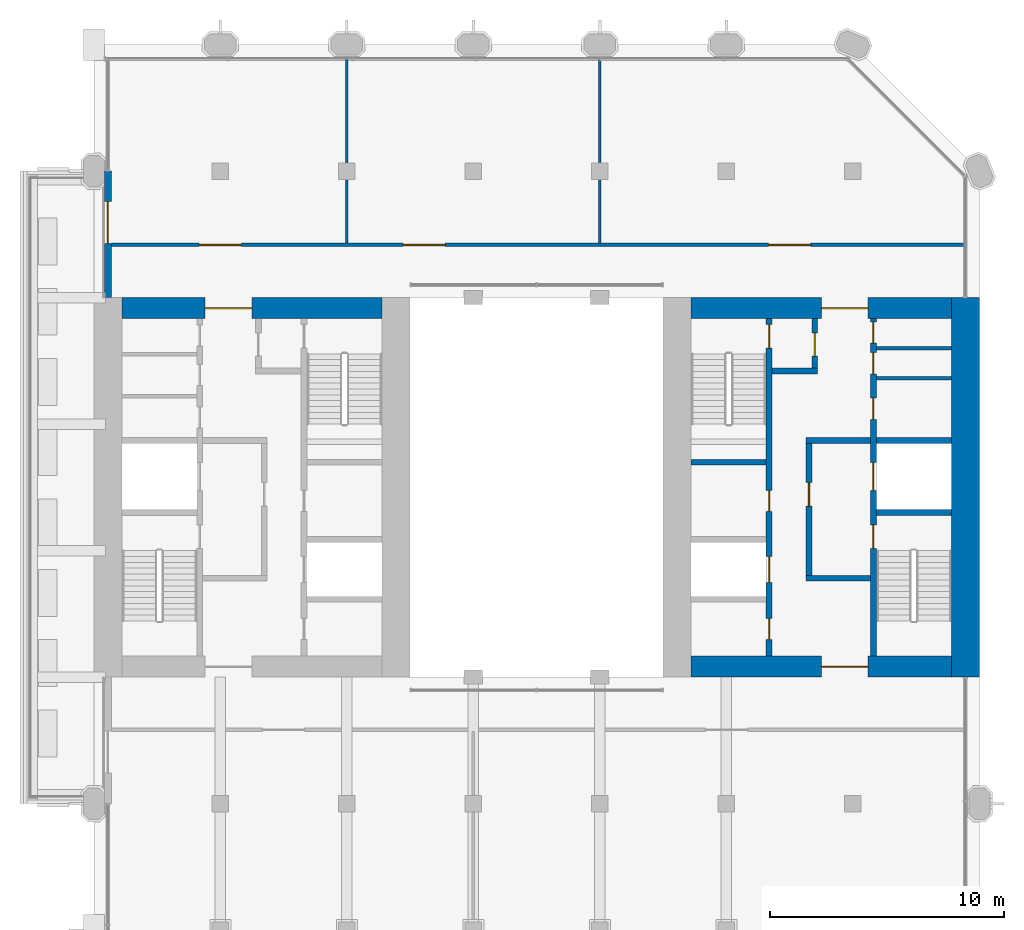
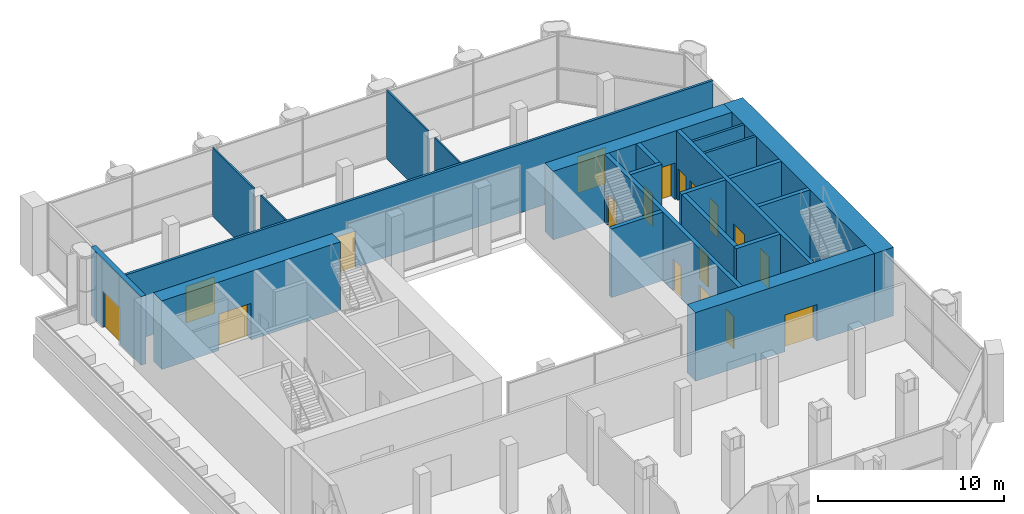
# One storey, part 10 of 14: 22 walls, 18 doors, 18 openings.
"""IFC4 building model written with IfcOpenShell, lengths in metres."""

from ifc_helpers import new_model, si_unit, direction, frame, frame_2d, origin, place, context, subcontext, project, spatial, rectangle, extrude, material, layer, layer_set, type_object, element, fill, save


model = new_model("IFC4")

# Units and contexts
model_context = context("Model", 3, precision=1e-05, world=origin(), true_north=direction((0.0, 1.0)))
body_context = subcontext(model_context, "Body", "Model", "MODEL_VIEW")
ifc_project = project(units=[si_unit("LENGTHUNIT", "METRE"), si_unit("AREAUNIT", "SQUARE_METRE"), si_unit("VOLUMEUNIT", "CUBIC_METRE"), si_unit("PLANEANGLEUNIT", "RADIAN"), si_unit("MASSUNIT", "GRAM", prefix="KILO")], contexts=[model_context])

# Site, building, storey
site_placement = place(None, origin())
site = spatial("IfcSite", under=ifc_project, at=site_placement, CompositionType="ELEMENT")
building_placement = place(site_placement, origin())
building = spatial("IfcBuilding", under=site, at=building_placement, Name="Tabaq Tower and Sports Hall", CompositionType="ELEMENT")
storey_placement = place(building_placement, frame((0.0, 0.0, 260.5)))
storey = spatial("IfcBuildingStorey", under=building, at=storey_placement, Name="L63", CompositionType="ELEMENT", Elevation=260.5)

# Walls
ifc_material_1 = material(Name="Blockwork", Category="masonry")
ifc_layer_1 = layer(ifc_material_1, 0.14990234375)
ifc_layer_set_1 = layer_set([ifc_layer_1], Name="Core room partition 150 Blockwork")
wall_type_1 = type_object("IfcWallType", Name="Core room partition 150 Blockwork", PredefinedType="PARTITIONING", material=ifc_layer_set_1)
for number, where, z_axis, x_axis, name in (
    (1, (38.800048828125, 28.962890625, 0.0), (0.0, 0.0, 1.0), (1.0, 0.0, 0.0), "Core room partition E L63"),
    (2, (38.800048828125, 30.23193359375, 0.0), (0.0, 0.0, 1.0), (1.0, 0.0, 0.0), "Core room partition E L63"),
):
    element("IfcWall", number, at=place(storey_placement, frame(where, z_axis=z_axis, x_axis=x_axis)), inside=storey, type_object=wall_type_1, Name=name, PredefinedType="PARTITIONING", context=body_context, shape_type="SweptSolid", body=[
        extrude(rectangle(XDim=3.199951171875, YDim=0.14990234375, at=frame_2d((1.60009765625, 0.0))), origin(), (0.0, 0.0, 1.0), 4.5),
    ])
ifc_material_2 = material(Name="Concrete C40/50", Category="concrete")
ifc_layer_2 = layer(ifc_material_2, 1.199951171875)
ifc_layer_set_2 = layer_set([ifc_layer_2], Name="Core wall 1200 Concrete C40/50")
wall_type_2 = type_object("IfcWallType", Name="Core wall 1200 Concrete C40/50", PredefinedType="SOLIDWALL", material=ifc_layer_set_2)
wall_1_placement = place(storey_placement, frame((42.60009765625, 32.39990234375, 0.0), z_axis=(0.0, 0.0, 1.0), x_axis=(0.0, -1.0, 0.0)))
element("IfcWall", 3, at=wall_1_placement, inside=storey, type_object=wall_type_2, Name="Core wall E L63", PredefinedType="SOLIDWALL", context=body_context, shape_type="SweptSolid", body=[
    extrude(rectangle(XDim=16.199951171875, YDim=1.199951171875, at=frame_2d((8.10009765625, 0.0))), origin(), (0.0, 0.0, 1.0), 4.5),
])

# Wall, opening, door
ifc_material_3 = material(Name="Concrete C40/50", Category="concrete")
ifc_layer_3 = layer(ifc_material_3, 0.89990234375)
ifc_layer_set_3 = layer_set([ifc_layer_3], Name="Core wall 900 Concrete C40/50")
wall_type_3 = type_object("IfcWallType", Name="Core wall 900 Concrete C40/50", PredefinedType="SOLIDWALL", material=ifc_layer_set_3)
wall_2_placement = place(storey_placement, frame((6.60009765625, 31.949951171875, 0.0), z_axis=(0.0, 0.0, 1.0), x_axis=(1.0, 0.0, 0.0)))
wall_2 = element("IfcWall", 4, at=wall_2_placement, inside=storey, type_object=wall_type_3, Name="Core wall W L63", PredefinedType="SOLIDWALL", context=body_context, shape_type="SweptSolid", body=[
    extrude(rectangle(XDim=11.099853515625, YDim=0.89990234375, at=frame_2d((5.5498046875, 0.0))), origin(), (0.0, 0.0, 1.0), 4.5),
])
opening_1_placement = place(wall_2_placement, frame((3.550048828125, 0.0, 0.0)))
opening_1 = element("IfcOpeningElement", 5, at=opening_1_placement, cuts=wall_2, Name="Opening PD-WL63-02", PredefinedType="OPENING", context=body_context, shape_type="SweptSolid", body=[
    extrude(rectangle(XDim=2.0, YDim=2.39990234375, at=frame_2d((1.0, 1.199951171875))), frame((0.0, 0.449951171875, 0.0), z_axis=(0.0, -1.0, 0.0), x_axis=(1.0, 0.0, 0.0)), (0.0, 0.0, 1.0), 0.89990234375),
])
ifc_material_4 = material(Name="Steel fire door", Category="steel")
door_type_1 = type_object("IfcDoorType", Name="Core entrance door 2000", OperationType="DOUBLE_DOOR_SINGLE_SWING", PredefinedType="DOOR", material=ifc_material_4)
door_1_placement = place(opening_1_placement, origin())
door_1 = element("IfcDoor", 6, at=door_1_placement, inside=storey, type_object=door_type_1, Name="Core entrance north W L63", OperationType="DOUBLE_DOOR_SINGLE_SWING", OverallHeight=2.39990234375, OverallWidth=2.0, PredefinedType="DOOR", context=body_context, shape_type="SweptSolid", body=[
    extrude(rectangle(XDim=2.0, YDim=2.39990234375, at=frame_2d((1.0, 1.199951171875))), frame((0.0, 0.02490234375, 0.0), z_axis=(0.0, -1.0, 0.0), x_axis=(1.0, 0.0, 0.0)), (0.0, 0.0, 1.0), 0.050048828125),
])
fill(opening_1, door_1)

wall_3_placement = place(storey_placement, frame((42.0, 16.64990234375, 0.0), z_axis=(0.0, 0.0, 1.0), x_axis=(-1.0, 0.0, 0.0)))
wall_3 = element("IfcWall", 7, at=wall_3_placement, inside=storey, type_object=wall_type_3, Name="Core wall E L63", PredefinedType="SOLIDWALL", context=body_context, shape_type="SweptSolid", body=[
    extrude(rectangle(XDim=11.10009765625, YDim=0.89990234375, at=frame_2d((5.550048828125, 0.0))), origin(), (0.0, 0.0, 1.0), 4.5),
])
opening_2_placement = place(wall_3_placement, frame((3.550048828125, 0.0, 0.0)))
opening_2 = element("IfcOpeningElement", 8, at=opening_2_placement, cuts=wall_3, Name="Opening PD-EL63-01", PredefinedType="OPENING", context=body_context, shape_type="SweptSolid", body=[
    extrude(rectangle(XDim=2.0, YDim=2.39990234375, at=frame_2d((1.0, 1.199951171875))), frame((0.0, 0.449951171875, 0.0), z_axis=(0.0, -1.0, 0.0), x_axis=(1.0, 0.0, 0.0)), (0.0, 0.0, 1.0), 0.89990234375),
])
door_2_placement = place(opening_2_placement, origin())
door_2 = element("IfcDoor", 9, at=door_2_placement, inside=storey, type_object=door_type_1, Name="Core entrance south E L63", OperationType="DOUBLE_DOOR_SINGLE_SWING", OverallHeight=2.39990234375, OverallWidth=2.0, PredefinedType="DOOR", context=body_context, shape_type="SweptSolid", body=[
    extrude(rectangle(XDim=2.0, YDim=2.39990234375, at=frame_2d((1.0, 1.199951171875))), frame((0.0, 0.02490234375, 0.0), z_axis=(0.0, -1.0, 0.0), x_axis=(1.0, 0.0, 0.0)), (0.0, 0.0, 1.0), 0.050048828125),
])
fill(opening_2, door_2)

wall_4_placement = place(storey_placement, frame((30.89990234375, 31.949951171875, 0.0), z_axis=(0.0, 0.0, 1.0), x_axis=(1.0, 0.0, 0.0)))
wall_4 = element("IfcWall", 10, at=wall_4_placement, inside=storey, type_object=wall_type_3, Name="Core wall E L63", PredefinedType="SOLIDWALL", context=body_context, shape_type="SweptSolid", body=[
    extrude(rectangle(XDim=11.10009765625, YDim=0.89990234375, at=frame_2d((5.550048828125, 0.0))), origin(), (0.0, 0.0, 1.0), 4.5),
])
opening_3_placement = place(wall_4_placement, frame((5.550048828125, 0.0, 0.0)))
opening_3 = element("IfcOpeningElement", 11, at=opening_3_placement, cuts=wall_4, Name="Opening PD-EL63-02", PredefinedType="OPENING", context=body_context, shape_type="SweptSolid", body=[
    extrude(rectangle(XDim=2.0, YDim=2.39990234375, at=frame_2d((1.0, 1.199951171875))), frame((0.0, 0.449951171875, 0.0), z_axis=(0.0, -1.0, 0.0), x_axis=(1.0, 0.0, 0.0)), (0.0, 0.0, 1.0), 0.89990234375),
])
door_3_placement = place(opening_3_placement, origin())
door_3 = element("IfcDoor", 12, at=door_3_placement, inside=storey, type_object=door_type_1, Name="Core entrance north E L63", OperationType="DOUBLE_DOOR_SINGLE_SWING", OverallHeight=2.39990234375, OverallWidth=2.0, PredefinedType="DOOR", context=body_context, shape_type="SweptSolid", body=[
    extrude(rectangle(XDim=2.0, YDim=2.39990234375, at=frame_2d((1.0, 1.199951171875))), frame((0.0, 0.02490234375, 0.0), z_axis=(0.0, -1.0, 0.0), x_axis=(1.0, 0.0, 0.0)), (0.0, 0.0, 1.0), 0.050048828125),
])
fill(opening_3, door_3)

# Walls
ifc_material_5 = material(Name="Gypsum board on steel studs", Category="steel")
ifc_layer_4 = layer(ifc_material_5, 0.10009765625)
ifc_layer_set_4 = layer_set([ifc_layer_4], Name="Partition 100 Gypsum board")
wall_type_4 = type_object("IfcWallType", Name="Partition 100 Gypsum board", PredefinedType="PARTITIONING", material=ifc_layer_set_4)
wall_5_placement = place(storey_placement, frame((27.0, 42.60009765625, 0.0), z_axis=(0.0, 0.0, 1.0), x_axis=(0.0, -1.0, 0.0)))
element("IfcWall", 13, at=wall_5_placement, inside=storey, type_object=wall_type_4, Name="Partition wall L63", PredefinedType="PARTITIONING", context=body_context, shape_type="SweptSolid", body=[
    extrude(rectangle(XDim=4.43017578125, YDim=0.10009765625, at=frame_2d((2.215087890625, 0.0))), origin(), (0.0, 0.0, 1.0), 4.5),
])
wall_6_placement = place(storey_placement, frame((27.0, 37.429931640625, 0.0), z_axis=(0.0, 0.0, 1.0), x_axis=(0.0, -1.0, 0.0)))
element("IfcWall", 14, at=wall_6_placement, inside=storey, type_object=wall_type_4, Name="Partition wall L63", PredefinedType="PARTITIONING", context=body_context, shape_type="SweptSolid", body=[
    extrude(rectangle(XDim=2.704833984375, YDim=0.10009765625, at=frame_2d((1.3525390625, 0.0))), origin(), (0.0, 0.0, 1.0), 4.5),
])
wall_7_placement = place(storey_placement, frame((16.199951171875, 42.60009765625, 0.0), z_axis=(0.0, 0.0, 1.0), x_axis=(0.0, -1.0, 0.0)))
element("IfcWall", 15, at=wall_7_placement, inside=storey, type_object=wall_type_4, Name="Partition wall L63", PredefinedType="PARTITIONING", context=body_context, shape_type="SweptSolid", body=[
    extrude(rectangle(XDim=4.43017578125, YDim=0.10009765625, at=frame_2d((2.215087890625, 0.0))), origin(), (0.0, 0.0, 1.0), 4.5),
])
wall_8_placement = place(storey_placement, frame((16.199951171875, 37.429931640625, 0.0), z_axis=(0.0, 0.0, 1.0), x_axis=(0.0, -1.0, 0.0)))
element("IfcWall", 16, at=wall_8_placement, inside=storey, type_object=wall_type_4, Name="Partition wall L63", PredefinedType="PARTITIONING", context=body_context, shape_type="SweptSolid", body=[
    extrude(rectangle(XDim=2.704833984375, YDim=0.10009765625, at=frame_2d((1.3525390625, 0.0))), origin(), (0.0, 0.0, 1.0), 4.5),
])

# Wall, openings, doors
ifc_material_6 = material(Name="Blockwork", Category="masonry")
ifc_layer_5 = layer(ifc_material_6, 0.14990234375)
ifc_layer_set_5 = layer_set([ifc_layer_5], Name="Separating wall 150 Blockwork")
wall_type_5 = type_object("IfcWallType", Name="Separating wall 150 Blockwork", PredefinedType="PARTITIONING", material=ifc_layer_set_5)
wall_9_placement = place(storey_placement, frame((6.15087890625, 34.64990234375, 0.0), z_axis=(0.0, 0.0, 1.0), x_axis=(1.0, 0.0, 0.0)))
wall_9 = element("IfcWall", 17, at=wall_9_placement, inside=storey, type_object=wall_type_5, Name="Separating wall L63", PredefinedType="PARTITIONING", context=body_context, shape_type="SweptSolid", body=[
    extrude(rectangle(XDim=36.44921875, YDim=0.14990234375, at=frame_2d((18.224609375, 0.0))), origin(), (0.0, 0.0, 1.0), 4.5),
])
opening_4_placement = place(wall_9_placement, frame((28.049072265625, 0.0, 0.0)))
opening_4 = element("IfcOpeningElement", 18, at=opening_4_placement, cuts=wall_9, Name="Opening L63-001", PredefinedType="OPENING", context=body_context, shape_type="SweptSolid", body=[
    extrude(rectangle(XDim=1.800048828125, YDim=2.39990234375, at=frame_2d((0.89990234375, 1.199951171875))), frame((0.0, 0.074951171875, 0.0), z_axis=(0.0, -1.0, 0.0), x_axis=(1.0, 0.0, 0.0)), (0.0, 0.0, 1.0), 0.14990234375),
])
opening_5_placement = place(wall_9_placement, frame((12.448974609375, 0.0, 0.0)))
opening_5 = element("IfcOpeningElement", 19, at=opening_5_placement, cuts=wall_9, Name="Opening L63-002", PredefinedType="OPENING", context=body_context, shape_type="SweptSolid", body=[
    extrude(rectangle(XDim=1.800048828125, YDim=2.39990234375, at=frame_2d((0.89990234375, 1.199951171875))), frame((0.0, 0.074951171875, 0.0), z_axis=(0.0, -1.0, 0.0), x_axis=(1.0, 0.0, 0.0)), (0.0, 0.0, 1.0), 0.14990234375),
])
opening_6_placement = place(wall_9_placement, frame((3.7490234375, 0.0, 0.0)))
opening_6 = element("IfcOpeningElement", 20, at=opening_6_placement, cuts=wall_9, Name="Opening L63-003", PredefinedType="OPENING", context=body_context, shape_type="SweptSolid", body=[
    extrude(rectangle(XDim=1.800048828125, YDim=2.39990234375, at=frame_2d((0.89990234375, 1.199951171875))), frame((0.0, 0.074951171875, 0.0), z_axis=(0.0, -1.0, 0.0), x_axis=(1.0, 0.0, 0.0)), (0.0, 0.0, 1.0), 0.14990234375),
])
ifc_material_7 = material(Name="Timber leaf in steel frame", Category="steel")
door_type_2 = type_object("IfcDoorType", Name="Internal door 1800", OperationType="DOUBLE_DOOR_SINGLE_SWING", PredefinedType="DOOR", material=ifc_material_7)
door_4_placement = place(opening_4_placement, origin())
door_4 = element("IfcDoor", 21, at=door_4_placement, inside=storey, type_object=door_type_2, Name="Internal door L63-001", OperationType="DOUBLE_DOOR_SINGLE_SWING", OverallHeight=2.39990234375, OverallWidth=1.800048828125, PredefinedType="DOOR", context=body_context, shape_type="SweptSolid", body=[
    extrude(rectangle(XDim=1.800048828125, YDim=2.39990234375, at=frame_2d((0.89990234375, 1.199951171875))), frame((0.0, 0.02490234375, 0.0), z_axis=(0.0, -1.0, 0.0), x_axis=(1.0, 0.0, 0.0)), (0.0, 0.0, 1.0), 0.050048828125),
])
fill(opening_4, door_4)
door_5_placement = place(opening_5_placement, origin())
door_5 = element("IfcDoor", 22, at=door_5_placement, inside=storey, type_object=door_type_2, Name="Internal door L63-002", OperationType="DOUBLE_DOOR_SINGLE_SWING", OverallHeight=2.39990234375, OverallWidth=1.800048828125, PredefinedType="DOOR", context=body_context, shape_type="SweptSolid", body=[
    extrude(rectangle(XDim=1.800048828125, YDim=2.39990234375, at=frame_2d((0.89990234375, 1.199951171875))), frame((0.0, 0.02490234375, 0.0), z_axis=(0.0, -1.0, 0.0), x_axis=(1.0, 0.0, 0.0)), (0.0, 0.0, 1.0), 0.050048828125),
])
fill(opening_5, door_5)
door_6_placement = place(opening_6_placement, origin())
door_6 = element("IfcDoor", 23, at=door_6_placement, inside=storey, type_object=door_type_2, Name="Internal door L63-003", OperationType="DOUBLE_DOOR_SINGLE_SWING", OverallHeight=2.39990234375, OverallWidth=1.800048828125, PredefinedType="DOOR", context=body_context, shape_type="SweptSolid", body=[
    extrude(rectangle(XDim=1.800048828125, YDim=2.39990234375, at=frame_2d((0.89990234375, 1.199951171875))), frame((0.0, 0.02490234375, 0.0), z_axis=(0.0, -1.0, 0.0), x_axis=(1.0, 0.0, 0.0)), (0.0, 0.0, 1.0), 0.050048828125),
])
fill(opening_6, door_6)

ifc_material_8 = material(Name="Concrete C40/50", Category="concrete")
ifc_layer_6 = layer(ifc_material_8, 0.25)
ifc_layer_set_6 = layer_set([ifc_layer_6], Name="Shaft and stair wall 250 Concrete C40/50")
wall_type_6 = type_object("IfcWallType", Name="Shaft and stair wall 250 Concrete C40/50", PredefinedType="SOLIDWALL", material=ifc_layer_set_6)
wall_10_placement = place(storey_placement, frame((38.675048828125, 17.10009765625, 0.0), z_axis=(0.0, 0.0, 1.0), x_axis=(0.0, 1.0, 0.0)))
wall_10 = element("IfcWall", 24, at=wall_10_placement, inside=storey, type_object=wall_type_6, Name="Shaft wall E L63", PredefinedType="SOLIDWALL", context=body_context, shape_type="SweptSolid", body=[
    extrude(rectangle(XDim=14.39990234375, YDim=0.25, at=frame_2d((7.199951171875, 0.0))), origin(), (0.0, 0.0, 1.0), 4.5),
])
opening_7_placement = place(wall_10_placement, frame((4.60009765625, 0.0, 0.0)))
opening_7 = element("IfcOpeningElement", 25, at=opening_7_placement, cuts=wall_10, Name="Opening SD-EL63-03", PredefinedType="OPENING", context=body_context, shape_type="SweptSolid", body=[
    extrude(rectangle(XDim=1.0, YDim=2.10009765625, at=frame_2d((0.5, 1.050048828125))), frame((0.0, 0.125, 0.0), z_axis=(0.0, -1.0, 0.0), x_axis=(1.0, 0.0, 0.0)), (0.0, 0.0, 1.0), 0.25),
])
opening_8_placement = place(wall_10_placement, frame((7.0625, 0.0, 0.0)))
opening_8 = element("IfcOpeningElement", 26, at=opening_8_placement, cuts=wall_10, Name="Opening LD-FF2-L63", PredefinedType="OPENING", context=body_context, shape_type="SweptSolid", body=[
    extrude(rectangle(XDim=1.199951171875, YDim=2.10009765625, at=frame_2d((0.60009765625, 1.050048828125))), frame((0.0, 0.125, 0.0), z_axis=(0.0, -1.0, 0.0), x_axis=(1.0, 0.0, 0.0)), (0.0, 0.0, 1.0), 0.25),
])
opening_9_placement = place(wall_10_placement, frame((10.1064453125, 0.0, 0.0)))
opening_9 = element("IfcOpeningElement", 27, at=opening_9_placement, cuts=wall_10, Name="Opening RD-EL63-09", PredefinedType="OPENING", context=body_context, shape_type="SweptSolid", body=[
    extrude(rectangle(XDim=0.89990234375, YDim=2.10009765625, at=frame_2d((0.449951171875, 1.050048828125))), frame((0.0, 0.125, 0.0), z_axis=(0.0, -1.0, 0.0), x_axis=(1.0, 0.0, 0.0)), (0.0, 0.0, 1.0), 0.25),
])
opening_10_placement = place(wall_10_placement, frame((12.047607421875, 0.0, 0.0)))
opening_10 = element("IfcOpeningElement", 28, at=opening_10_placement, cuts=wall_10, Name="Opening RD-EL63-10", PredefinedType="OPENING", context=body_context, shape_type="SweptSolid", body=[
    extrude(rectangle(XDim=0.89990234375, YDim=2.10009765625, at=frame_2d((0.449951171875, 1.050048828125))), frame((0.0, 0.125, 0.0), z_axis=(0.0, -1.0, 0.0), x_axis=(1.0, 0.0, 0.0)), (0.0, 0.0, 1.0), 0.25),
])
opening_11_placement = place(wall_10_placement, frame((13.353515625, 0.0, 0.0)))
opening_11 = element("IfcOpeningElement", 29, at=opening_11_placement, cuts=wall_10, Name="Opening RD-EL63-11", PredefinedType="OPENING", context=body_context, shape_type="SweptSolid", body=[
    extrude(rectangle(XDim=0.89990234375, YDim=2.10009765625, at=frame_2d((0.449951171875, 1.050048828125))), frame((0.0, 0.125, 0.0), z_axis=(0.0, -1.0, 0.0), x_axis=(1.0, 0.0, 0.0)), (0.0, 0.0, 1.0), 0.25),
])
ifc_material_9 = material(Name="Steel fire door", Category="steel")
door_type_3 = type_object("IfcDoorType", Name="Core room door 900", OperationType="SINGLE_SWING_LEFT", PredefinedType="DOOR", material=ifc_material_9)
door_7_placement = place(opening_9_placement, origin())
door_7 = element("IfcDoor", 30, at=door_7_placement, inside=storey, type_object=door_type_3, Name="Door Unisex WC E L63", OperationType="SINGLE_SWING_LEFT", OverallHeight=2.10009765625, OverallWidth=0.89990234375, PredefinedType="DOOR", context=body_context, shape_type="SweptSolid", body=[
    extrude(rectangle(XDim=0.89990234375, YDim=2.10009765625, at=frame_2d((0.449951171875, 1.050048828125))), frame((0.0, 0.02490234375, 0.0), z_axis=(0.0, -1.0, 0.0), x_axis=(1.0, 0.0, 0.0)), (0.0, 0.0, 1.0), 0.050048828125),
])
fill(opening_9, door_7)
door_8_placement = place(opening_10_placement, origin())
door_8 = element("IfcDoor", 31, at=door_8_placement, inside=storey, type_object=door_type_3, Name="Door Cleaner's Store E L63", OperationType="SINGLE_SWING_LEFT", OverallHeight=2.10009765625, OverallWidth=0.89990234375, PredefinedType="DOOR", context=body_context, shape_type="SweptSolid", body=[
    extrude(rectangle(XDim=0.89990234375, YDim=2.10009765625, at=frame_2d((0.449951171875, 1.050048828125))), frame((0.0, 0.02490234375, 0.0), z_axis=(0.0, -1.0, 0.0), x_axis=(1.0, 0.0, 0.0)), (0.0, 0.0, 1.0), 0.050048828125),
])
fill(opening_10, door_8)
door_9_placement = place(opening_11_placement, origin())
door_9 = element("IfcDoor", 32, at=door_9_placement, inside=storey, type_object=door_type_3, Name="Door Accessible WC E L63", OperationType="SINGLE_SWING_LEFT", OverallHeight=2.10009765625, OverallWidth=0.89990234375, PredefinedType="DOOR", context=body_context, shape_type="SweptSolid", body=[
    extrude(rectangle(XDim=0.89990234375, YDim=2.10009765625, at=frame_2d((0.449951171875, 1.050048828125))), frame((0.0, 0.02490234375, 0.0), z_axis=(0.0, -1.0, 0.0), x_axis=(1.0, 0.0, 0.0)), (0.0, 0.0, 1.0), 0.050048828125),
])
fill(opening_11, door_9)
ifc_material_10 = material(Name="Stainless steel", Category="steel")
door_type_4 = type_object("IfcDoorType", Name="Lift landing door 1200", OperationType="DOUBLE_DOOR_SLIDING", PredefinedType="DOOR", material=ifc_material_10)
door_10_placement = place(opening_8_placement, origin())
door_10 = element("IfcDoor", 33, at=door_10_placement, inside=storey, type_object=door_type_4, Name="Lift landing door FF2 E L63", OperationType="DOUBLE_DOOR_SLIDING", OverallHeight=2.10009765625, OverallWidth=1.199951171875, PredefinedType="DOOR", context=body_context, shape_type="SweptSolid", body=[
    extrude(rectangle(XDim=1.199951171875, YDim=2.10009765625, at=frame_2d((0.60009765625, 1.050048828125))), frame((0.0, 0.02490234375, 0.0), z_axis=(0.0, -1.0, 0.0), x_axis=(1.0, 0.0, 0.0)), (0.0, 0.0, 1.0), 0.050048828125),
])
fill(opening_8, door_10)
ifc_material_11 = material(Name="Steel fire door", Category="steel")
door_type_5 = type_object("IfcDoorType", Name="Stair door 1000", OperationType="SINGLE_SWING_LEFT", PredefinedType="DOOR", material=ifc_material_11)
door_11_placement = place(opening_7_placement, origin())
door_11 = element("IfcDoor", 34, at=door_11_placement, inside=storey, type_object=door_type_5, Name="Stair door ST3 E L63", OperationType="SINGLE_SWING_LEFT", OverallHeight=2.10009765625, OverallWidth=1.0, PredefinedType="DOOR", context=body_context, shape_type="SweptSolid", body=[
    extrude(rectangle(XDim=1.0, YDim=2.10009765625, at=frame_2d((0.5, 1.050048828125))), frame((0.0, 0.02490234375, 0.0), z_axis=(0.0, -1.0, 0.0), x_axis=(1.0, 0.0, 0.0)), (0.0, 0.0, 1.0), 0.050048828125),
])
fill(opening_7, door_11)

wall_11_placement = place(storey_placement, frame((34.22509765625, 17.10009765625, 0.0), z_axis=(0.0, 0.0, 1.0), x_axis=(0.0, 1.0, 0.0)))
wall_11 = element("IfcWall", 35, at=wall_11_placement, inside=storey, type_object=wall_type_6, Name="Shaft wall E L63", PredefinedType="SOLIDWALL", context=body_context, shape_type="SweptSolid", body=[
    extrude(rectangle(XDim=14.39990234375, YDim=0.25, at=frame_2d((7.199951171875, 0.0))), origin(), (0.0, 0.0, 1.0), 4.5),
])
opening_12_placement = place(wall_11_placement, frame((13.14990234375, 0.0, 0.0)))
opening_12 = element("IfcOpeningElement", 36, at=opening_12_placement, cuts=wall_11, Name="Opening SD-EL63-05", PredefinedType="OPENING", context=body_context, shape_type="SweptSolid", body=[
    extrude(rectangle(XDim=1.0, YDim=2.10009765625, at=frame_2d((0.5, 1.050048828125))), frame((0.0, 0.125, 0.0), z_axis=(0.0, -1.0, 0.0), x_axis=(1.0, 0.0, 0.0)), (0.0, 0.0, 1.0), 0.25),
])
opening_13_placement = place(wall_11_placement, frame((3.14990234375, 0.0, 0.0)))
opening_13 = element("IfcOpeningElement", 37, at=opening_13_placement, cuts=wall_11, Name="Opening LD-HR2-L63", PredefinedType="OPENING", context=body_context, shape_type="SweptSolid", body=[
    extrude(rectangle(XDim=1.10009765625, YDim=2.10009765625, at=frame_2d((0.550048828125, 1.050048828125))), frame((0.0, 0.125, 0.0), z_axis=(0.0, -1.0, 0.0), x_axis=(1.0, 0.0, 0.0)), (0.0, 0.0, 1.0), 0.25),
])
opening_14_placement = place(wall_11_placement, frame((0.699951171875, 0.0, 0.0)))
opening_14 = element("IfcOpeningElement", 38, at=opening_14_placement, cuts=wall_11, Name="Opening RD-EL63-12", PredefinedType="OPENING", context=body_context, shape_type="SweptSolid", body=[
    extrude(rectangle(XDim=0.89990234375, YDim=2.10009765625, at=frame_2d((0.449951171875, 1.050048828125))), frame((0.0, 0.125, 0.0), z_axis=(0.0, -1.0, 0.0), x_axis=(1.0, 0.0, 0.0)), (0.0, 0.0, 1.0), 0.25),
])
opening_15_placement = place(wall_11_placement, frame((6.175048828125, 0.0, 0.0)))
opening_15 = element("IfcOpeningElement", 39, at=opening_15_placement, cuts=wall_11, Name="Opening RD-EL63-13", PredefinedType="OPENING", context=body_context, shape_type="SweptSolid", body=[
    extrude(rectangle(XDim=0.89990234375, YDim=2.10009765625, at=frame_2d((0.449951171875, 1.050048828125))), frame((0.0, 0.125, 0.0), z_axis=(0.0, -1.0, 0.0), x_axis=(1.0, 0.0, 0.0)), (0.0, 0.0, 1.0), 0.25),
])
door_12_placement = place(opening_14_placement, origin())
door_12 = element("IfcDoor", 40, at=door_12_placement, inside=storey, type_object=door_type_3, Name="Door Electrical Riser Room E L63", OperationType="SINGLE_SWING_LEFT", OverallHeight=2.10009765625, OverallWidth=0.89990234375, PredefinedType="DOOR", context=body_context, shape_type="SweptSolid", body=[
    extrude(rectangle(XDim=0.89990234375, YDim=2.10009765625, at=frame_2d((0.449951171875, 1.050048828125))), frame((0.0, 0.02490234375, 0.0), z_axis=(0.0, -1.0, 0.0), x_axis=(1.0, 0.0, 0.0)), (0.0, 0.0, 1.0), 0.050048828125),
])
fill(opening_14, door_12)
door_13_placement = place(opening_15_placement, origin())
door_13 = element("IfcDoor", 41, at=door_13_placement, inside=storey, type_object=door_type_3, Name="Door Riser Room E L63", OperationType="SINGLE_SWING_LEFT", OverallHeight=2.10009765625, OverallWidth=0.89990234375, PredefinedType="DOOR", context=body_context, shape_type="SweptSolid", body=[
    extrude(rectangle(XDim=0.89990234375, YDim=2.10009765625, at=frame_2d((0.449951171875, 1.050048828125))), frame((0.0, 0.02490234375, 0.0), z_axis=(0.0, -1.0, 0.0), x_axis=(1.0, 0.0, 0.0)), (0.0, 0.0, 1.0), 0.050048828125),
])
fill(opening_15, door_13)
ifc_material_12 = material(Name="Stainless steel", Category="steel")
door_type_6 = type_object("IfcDoorType", Name="Lift landing door 1100", OperationType="DOUBLE_DOOR_SLIDING", PredefinedType="DOOR", material=ifc_material_12)
door_14_placement = place(opening_13_placement, origin())
door_14 = element("IfcDoor", 42, at=door_14_placement, inside=storey, type_object=door_type_6, Name="Lift landing door HR2 E L63", OperationType="DOUBLE_DOOR_SLIDING", OverallHeight=2.10009765625, OverallWidth=1.10009765625, PredefinedType="DOOR", context=body_context, shape_type="SweptSolid", body=[
    extrude(rectangle(XDim=1.10009765625, YDim=2.10009765625, at=frame_2d((0.550048828125, 1.050048828125))), frame((0.0, 0.02490234375, 0.0), z_axis=(0.0, -1.0, 0.0), x_axis=(1.0, 0.0, 0.0)), (0.0, 0.0, 1.0), 0.050048828125),
])
fill(opening_13, door_14)
door_15_placement = place(opening_12_placement, origin())
door_15 = element("IfcDoor", 43, at=door_15_placement, inside=storey, type_object=door_type_5, Name="Stair door ST4 E L63", OperationType="SINGLE_SWING_LEFT", OverallHeight=2.10009765625, OverallWidth=1.0, PredefinedType="DOOR", context=body_context, shape_type="SweptSolid", body=[
    extrude(rectangle(XDim=1.0, YDim=2.10009765625, at=frame_2d((0.5, 1.050048828125))), frame((0.0, 0.02490234375, 0.0), z_axis=(0.0, -1.0, 0.0), x_axis=(1.0, 0.0, 0.0)), (0.0, 0.0, 1.0), 0.050048828125),
])
fill(opening_12, door_15)

# Walls
wall_12_placement = place(storey_placement, frame((38.800048828125, 23.22509765625, 0.0), z_axis=(0.0, 0.0, 1.0), x_axis=(1.0, 0.0, 0.0)))
element("IfcWall", 44, at=wall_12_placement, inside=storey, type_object=wall_type_6, Name="Stair enclosure wall E L63", PredefinedType="SOLIDWALL", context=body_context, shape_type="SweptSolid", body=[
    extrude(rectangle(XDim=3.199951171875, YDim=0.25, at=frame_2d((1.60009765625, 0.0))), origin(), (0.0, 0.0, 1.0), 4.5),
])
wall_13_placement = place(storey_placement, frame((30.89990234375, 25.375, 0.0), z_axis=(0.0, 0.0, 1.0), x_axis=(1.0, 0.0, 0.0)))
element("IfcWall", 45, at=wall_13_placement, inside=storey, type_object=wall_type_6, Name="Stair enclosure wall E L63", PredefinedType="SOLIDWALL", context=body_context, shape_type="SweptSolid", body=[
    extrude(rectangle(XDim=3.2001953125, YDim=0.25, at=frame_2d((1.60009765625, 0.0))), origin(), (0.0, 0.0, 1.0), 4.5),
])
wall_14_placement = place(storey_placement, frame((38.800048828125, 26.300048828125, 0.0), z_axis=(0.0, 0.0, 1.0), x_axis=(1.0, 0.0, 0.0)))
element("IfcWall", 46, at=wall_14_placement, inside=storey, type_object=wall_type_6, Name="Shaft wall E L63", PredefinedType="SOLIDWALL", context=body_context, shape_type="SweptSolid", body=[
    extrude(rectangle(XDim=3.199951171875, YDim=0.25, at=frame_2d((1.60009765625, 0.0))), origin(), (0.0, 0.0, 1.0), 4.5),
])
for number, where, z_axis, x_axis, name in (
    (47, (35.800048828125, 26.300048828125, 0.0), (0.0, 0.0, 1.0), (1.0, 0.0, 0.0), "Fire-fighting lobby wall E L63"),
    (48, (35.800048828125, 20.425048828125, 0.0), (0.0, 0.0, 1.0), (1.0, 0.0, 0.0), "Fire-fighting lobby wall E L63"),
):
    element("IfcWall", number, at=place(storey_placement, frame(where, z_axis=z_axis, x_axis=x_axis)), inside=storey, type_object=wall_type_6, Name=name, PredefinedType="SOLIDWALL", context=body_context, shape_type="SweptSolid", body=[
        extrude(rectangle(XDim=2.75, YDim=0.25, at=frame_2d((1.375, 0.0))), origin(), (0.0, 0.0, 1.0), 4.5),
    ])

# Wall, opening, door
wall_15_placement = place(storey_placement, frame((36.175048828125, 29.39990234375, 0.0), z_axis=(0.0, 0.0, 1.0), x_axis=(0.0, 1.0, 0.0)))
wall_15 = element("IfcWall", 49, at=wall_15_placement, inside=storey, type_object=wall_type_6, Name="Fire-fighting lobby wall E L63", PredefinedType="SOLIDWALL", context=body_context, shape_type="SweptSolid", body=[
    extrude(rectangle(XDim=2.10009765625, YDim=0.25, at=frame_2d((1.050048828125, 0.0))), origin(), (0.0, 0.0, 1.0), 4.5),
])
opening_16_placement = place(wall_15_placement, frame((0.5, 0.0, 0.0)))
opening_16 = element("IfcOpeningElement", 50, at=opening_16_placement, cuts=wall_15, Name="Opening FD-EL63-06", PredefinedType="OPENING", context=body_context, shape_type="SweptSolid", body=[
    extrude(rectangle(XDim=1.0, YDim=2.10009765625, at=frame_2d((0.5, 1.050048828125))), frame((0.0, 0.125, 0.0), z_axis=(0.0, -1.0, 0.0), x_axis=(1.0, 0.0, 0.0)), (0.0, 0.0, 1.0), 0.25),
])
ifc_material_13 = material(Name="Steel fire door", Category="steel")
door_type_7 = type_object("IfcDoorType", Name="Fire-fighting lobby door 1000", OperationType="SINGLE_SWING_LEFT", PredefinedType="DOOR", material=ifc_material_13)
door_16_placement = place(opening_16_placement, origin())
door_16 = element("IfcDoor", 51, at=door_16_placement, inside=storey, type_object=door_type_7, Name="Stair lobby door E L63", OperationType="SINGLE_SWING_LEFT", OverallHeight=2.10009765625, OverallWidth=1.0, PredefinedType="DOOR", context=body_context, shape_type="SweptSolid", body=[
    extrude(rectangle(XDim=1.0, YDim=2.10009765625, at=frame_2d((0.5, 1.050048828125))), frame((0.0, 0.02490234375, 0.0), z_axis=(0.0, -1.0, 0.0), x_axis=(1.0, 0.0, 0.0)), (0.0, 0.0, 1.0), 0.050048828125),
])
fill(opening_16, door_16)

# Wall
wall_16_placement = place(storey_placement, frame((34.35009765625, 29.27490234375, 0.0), z_axis=(0.0, 0.0, 1.0), x_axis=(1.0, 0.0, 0.0)))
element("IfcWall", 52, at=wall_16_placement, inside=storey, type_object=wall_type_6, Name="Fire-fighting lobby wall E L63", PredefinedType="SOLIDWALL", context=body_context, shape_type="SweptSolid", body=[
    extrude(rectangle(XDim=1.949951171875, YDim=0.25, at=frame_2d((0.97509765625, 0.0))), origin(), (0.0, 0.0, 1.0), 4.5),
])

# Wall, opening, door
wall_17_placement = place(storey_placement, frame((35.925048828125, 20.550048828125, 0.0), z_axis=(0.0, 0.0, 1.0), x_axis=(0.0, 1.0, 0.0)))
wall_17 = element("IfcWall", 53, at=wall_17_placement, inside=storey, type_object=wall_type_6, Name="Fire-fighting lobby wall E L63", PredefinedType="SOLIDWALL", context=body_context, shape_type="SweptSolid", body=[
    extrude(rectangle(XDim=5.625, YDim=0.25, at=frame_2d((2.8125, 0.0))), origin(), (0.0, 0.0, 1.0), 4.5),
])
opening_17_placement = place(wall_17_placement, frame((2.949951171875, 0.0, 0.0)))
opening_17 = element("IfcOpeningElement", 54, at=opening_17_placement, cuts=wall_17, Name="Opening FD-EL63-04", PredefinedType="OPENING", context=body_context, shape_type="SweptSolid", body=[
    extrude(rectangle(XDim=1.0, YDim=2.10009765625, at=frame_2d((0.5, 1.050048828125))), frame((0.0, 0.125, 0.0), z_axis=(0.0, -1.0, 0.0), x_axis=(1.0, 0.0, 0.0)), (0.0, 0.0, 1.0), 0.25),
])
door_17_placement = place(opening_17_placement, origin())
door_17 = element("IfcDoor", 55, at=door_17_placement, inside=storey, type_object=door_type_7, Name="Fire-fighting lobby door E L63", OperationType="SINGLE_SWING_LEFT", OverallHeight=2.10009765625, OverallWidth=1.0, PredefinedType="DOOR", context=body_context, shape_type="SweptSolid", body=[
    extrude(rectangle(XDim=1.0, YDim=2.10009765625, at=frame_2d((0.5, 1.050048828125))), frame((0.0, 0.02490234375, 0.0), z_axis=(0.0, -1.0, 0.0), x_axis=(1.0, 0.0, 0.0)), (0.0, 0.0, 1.0), 0.050048828125),
])
fill(opening_17, door_17)

ifc_material_14 = material(Name="White precast concrete C60/75", Category="concrete")
ifc_layer_7 = layer(ifc_material_14, 0.300048828125)
ifc_layer_set_7 = layer_set([ifc_layer_7], Name="White precast concrete C60/75 external wall 300")
wall_type_7 = type_object("IfcWallType", Name="White precast concrete C60/75 external wall 300", PredefinedType="SOLIDWALL", material=ifc_layer_set_7)
wall_18_placement = place(storey_placement, frame((6.0, 37.800048828125, 0.0), z_axis=(0.0, 0.0, 1.0), x_axis=(0.0, -1.0, 0.0)))
wall_18 = element("IfcWall", 56, at=wall_18_placement, inside=storey, type_object=wall_type_7, Name="External Wall L63 W", PredefinedType="SOLIDWALL", context=body_context, shape_type="SweptSolid", body=[
    extrude(rectangle(XDim=5.400146484375, YDim=0.300048828125, at=frame_2d((2.7001953125, 0.0))), origin(), (0.0, 0.0, 1.0), 4.5),
])
opening_18_placement = place(wall_18_placement, frame((1.300048828125, 0.0, 0.0)))
opening_18 = element("IfcOpeningElement", 57, at=opening_18_placement, cuts=wall_18, Name="Opening TD6301", PredefinedType="OPENING", context=body_context, shape_type="SweptSolid", body=[
    extrude(rectangle(XDim=1.800048828125, YDim=2.39990234375, at=frame_2d((0.89990234375, 1.199951171875))), frame((0.0, 0.16015625, 0.0), z_axis=(0.0, -1.0, 0.0), x_axis=(1.0, 0.0, 0.0)), (0.0, 0.0, 1.0), 0.320068359375),
])
ifc_material_15 = material(Name="Aluminium framed clear glazing", Category="aluminium")
door_type_8 = type_object("IfcDoorType", Name="Terrace door TD1", OperationType="DOUBLE_DOOR_DOUBLE_SWING", PredefinedType="DOOR", material=ifc_material_15)
door_18_placement = place(opening_18_placement, origin())
door_18 = element("IfcDoor", 58, at=door_18_placement, inside=storey, type_object=door_type_8, Name="Terrace door TD6301", OperationType="DOUBLE_DOOR_DOUBLE_SWING", OverallHeight=2.39990234375, OverallWidth=1.800048828125, PredefinedType="DOOR", context=body_context, shape_type="SweptSolid", body=[
    extrude(rectangle(XDim=1.800048828125, YDim=2.39990234375, at=frame_2d((0.89990234375, 1.199951171875))), frame((0.0, 0.02490234375, 0.0), z_axis=(0.0, -1.0, 0.0), x_axis=(1.0, 0.0, 0.0)), (0.0, 0.0, 1.0), 0.050048828125),
])
fill(opening_18, door_18)

save(model, "model.ifc")
